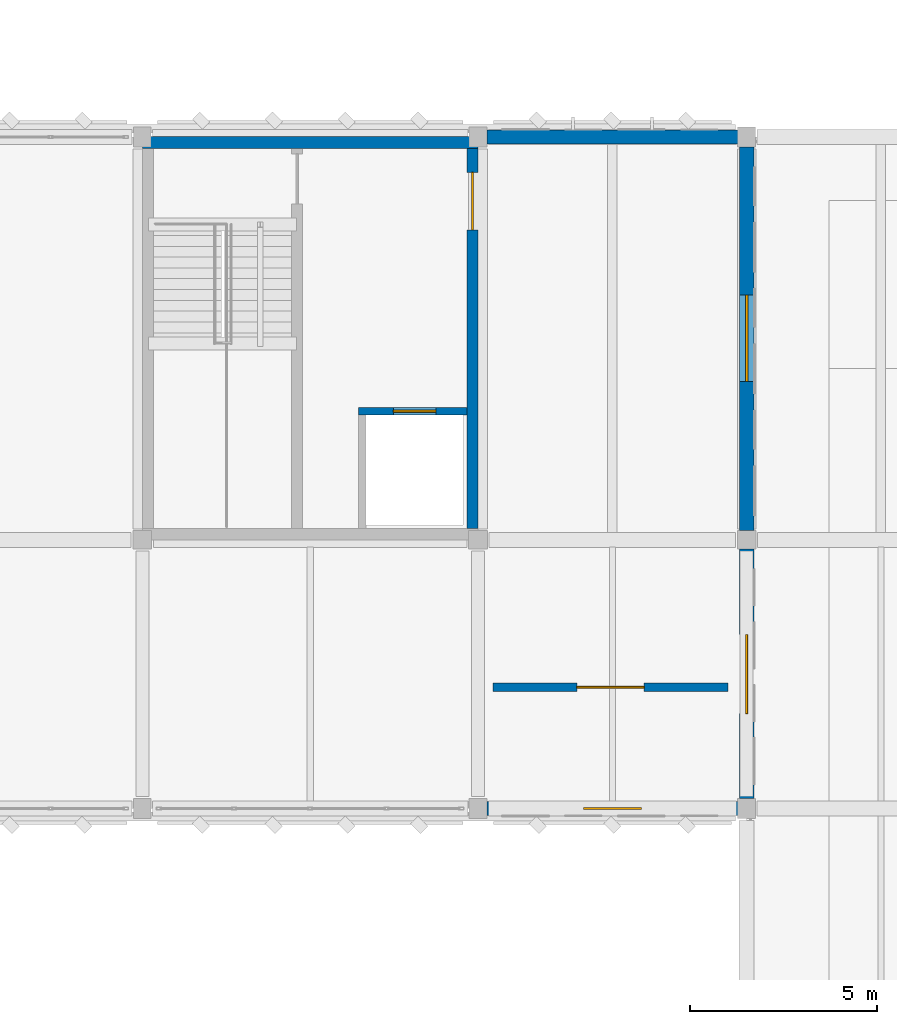
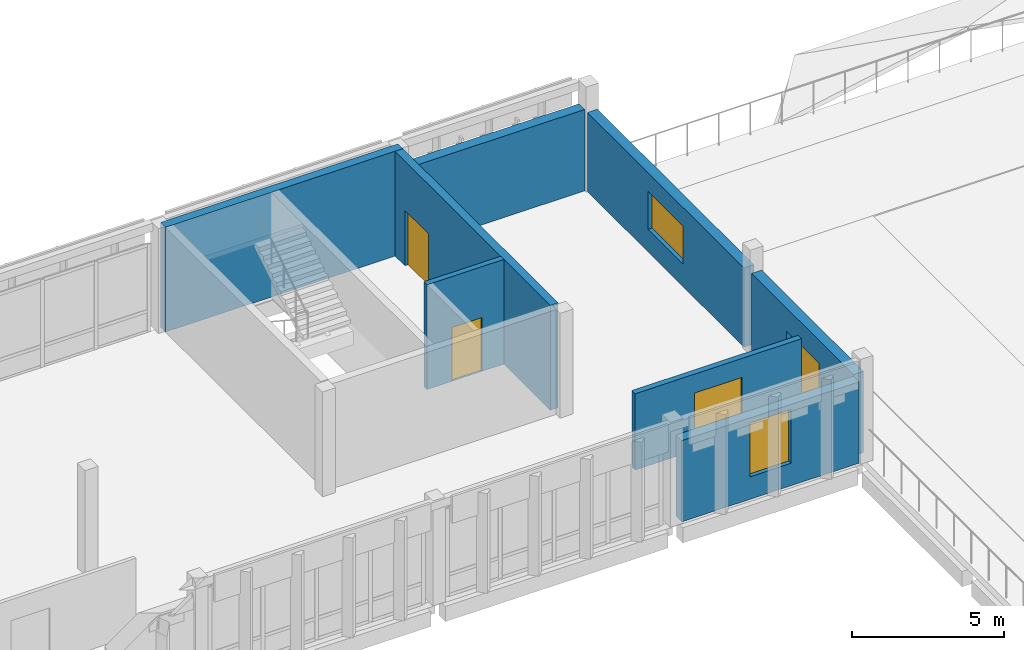
# One storey, part 59 of 72: 8 walls, 4 doors, 2 windows, 6 openings.
"""IFC4 building model written with IfcOpenShell, lengths in metres."""

from ifc_helpers import new_model, si_unit, direction, frame, frame_2d, origin, place, context, subcontext, project, spatial, rectangle, extrude, material, layer, layer_set, type_object, element, fill, save


model = new_model("IFC4")

# Units and contexts
model_context = context("Model", 3, precision=1e-05, world=origin(), true_north=direction((0.0, 1.0)))
body_context = subcontext(model_context, "Body", "Model", "MODEL_VIEW")
ifc_project = project(units=[si_unit("LENGTHUNIT", "METRE"), si_unit("AREAUNIT", "SQUARE_METRE"), si_unit("VOLUMEUNIT", "CUBIC_METRE"), si_unit("PLANEANGLEUNIT", "RADIAN"), si_unit("MASSUNIT", "GRAM", prefix="KILO")], contexts=[model_context])

# Site, building, storey
site_placement = place(None, origin())
site = spatial("IfcSite", under=ifc_project, at=site_placement, CompositionType="ELEMENT")
building_placement = place(site_placement, origin())
building = spatial("IfcBuilding", under=site, at=building_placement, Name="Lusvemor Sports Hall", CompositionType="ELEMENT")
storey_placement = place(building_placement, frame((0.0, 0.0, 15.0)))
storey = spatial("IfcBuildingStorey", under=building, at=storey_placement, Name="L03", CompositionType="ELEMENT", Elevation=15.0)

# Wall
ifc_material_1 = material(Name="Warm terracotta Art Nouveau ceramic cladding on Concrete C40/50 backing", Category="masonry")
ifc_layer_1 = layer(ifc_material_1, 0.3798828125)
ifc_layer_set_1 = layer_set([ifc_layer_1], Name="Warm terracotta Art Nouveau ceramic cladding on Concrete C40/50 backing")
wall_type_1 = type_object("IfcWallType", Name="EW_UPPER_250", PredefinedType="STANDARD", material=ifc_layer_set_1)
wall_1_placement = place(storey_placement, frame((111.8359375, 115.199951171875, 0.0), z_axis=(0.0, 0.0, 1.0), x_axis=(1.0, 0.0, 0.0)))
element("IfcWall", 1, at=wall_1_placement, inside=storey, type_object=wall_type_1, Name="Exterior Wall EW-L03-N-1-11", PredefinedType="STANDARD", context=body_context, shape_type="SweptSolid", body=[
    extrude(rectangle(XDim=6.72802734375, YDim=0.3798828125, at=frame_2d((3.364013671875, 0.0))), origin(), (0.0, 0.0, 1.0), 3.260009765625),
])

# Wall, opening, door
wall_2_placement = place(storey_placement, frame((118.800048828125, 104.154052734375, 0.0), z_axis=(0.0, 0.0, 1.0), x_axis=(0.0, -1.0, 0.0)))
wall_2 = element("IfcWall", 2, at=wall_2_placement, inside=storey, type_object=wall_type_1, Name="Exterior Wall EW-L03-E-2-0", PredefinedType="STANDARD", context=body_context, shape_type="SweptSolid", body=[
    extrude(rectangle(XDim=6.68798828125, YDim=0.3798828125, at=frame_2d((3.343994140625, 0.0))), origin(), (0.0, 0.0, 1.0), 3.260009765625),
])
opening_1_placement = place(wall_2_placement, frame((2.2939453125, 0.0, 0.0)))
opening_1 = element("IfcOpeningElement", 3, at=opening_1_placement, cuts=wall_2, Name="Opening ED08", PredefinedType="OPENING", context=body_context, shape_type="SweptSolid", body=[
    extrude(rectangle(XDim=2.1201171875, YDim=2.340087890625, at=frame_2d((1.06005859375, 1.169921875))), frame((0.0, 0.18994140625, 0.0), z_axis=(0.0, -1.0, 0.0), x_axis=(1.0, 0.0, 0.0)), (0.0, 0.0, 1.0), 0.3798828125),
])
ifc_material_2 = material(Name="Thermally broken bronze-anodized aluminium", Category="aluminium")
door_type_1 = type_object("IfcDoorType", Name="EDR_TRACK_212x234", OperationType="NOTDEFINED", PredefinedType="DOOR", material=ifc_material_2)
door_1_placement = place(opening_1_placement, origin())
door_1 = element("IfcDoor", 4, at=door_1_placement, inside=storey, type_object=door_type_1, Name="DR-033", OperationType="SINGLE_SWING_LEFT", OverallHeight=2.340087890625, OverallWidth=2.1201171875, PredefinedType="DOOR", context=body_context, shape_type="SweptSolid", body=[
    extrude(rectangle(XDim=2.1201171875, YDim=2.340087890625, at=frame_2d((1.06005859375, 1.169921875))), frame((0.0, 0.02490234375, 0.0), z_axis=(0.0, -1.0, 0.0), x_axis=(1.0, 0.0, 0.0)), (0.0, 0.0, 1.0), 0.050048828125),
])
fill(opening_1, door_1)

# Wall, opening, window
wall_3_placement = place(storey_placement, frame((118.800048828125, 114.93408203125, 0.0), z_axis=(0.0, 0.0, 1.0), x_axis=(0.0, -1.0, 0.0)))
wall_3 = element("IfcWall", 5, at=wall_3_placement, inside=storey, type_object=wall_type_1, Name="Exterior Wall EW-L03-E-2-1", PredefinedType="STANDARD", context=body_context, shape_type="SweptSolid", body=[
    extrude(rectangle(XDim=10.2880859375, YDim=0.3798828125, at=frame_2d((5.14404296875, 0.0))), origin(), (0.0, 0.0, 1.0), 3.169921875),
])
opening_2_placement = place(wall_3_placement, frame((3.97412109375, 0.0, 0.89990234375)))
opening_2 = element("IfcOpeningElement", 6, at=opening_2_placement, cuts=wall_3, Name="Opening WN21", PredefinedType="OPENING", context=body_context, shape_type="SweptSolid", body=[
    extrude(rectangle(XDim=2.320068359375, YDim=1.52001953125, at=frame_2d((1.16015625, 0.760009765625))), frame((0.0, 0.18994140625, 0.0), z_axis=(0.0, -1.0, 0.0), x_axis=(1.0, 0.0, 0.0)), (0.0, 0.0, 1.0), 0.3798828125),
])
ifc_material_3 = material(Name="Solar-control laminated double glazing", Category="glass")
window_type_1 = type_object("IfcWindowType", Name="WIN_21", PartitioningType="SINGLE_PANEL", PredefinedType="WINDOW", material=ifc_material_3)
window_1_placement = place(opening_2_placement, origin())
window_1 = element("IfcWindow", 7, at=window_1_placement, inside=storey, type_object=window_type_1, Name="Wing Window L03-E-2-1", OverallHeight=1.52001953125, OverallWidth=2.320068359375, PartitioningType="SINGLE_PANEL", PredefinedType="WINDOW", context=body_context, shape_type="SweptSolid", body=[
    extrude(rectangle(XDim=2.320068359375, YDim=1.52001953125, at=frame_2d((1.16015625, 0.760009765625))), frame((0.0, 0.030029296875, 0.0), z_axis=(0.0, -1.0, 0.0), x_axis=(1.0, 0.0, 0.0)), (0.0, 0.0, 1.0), 0.06005859375),
])
fill(opening_2, window_1)

wall_4_placement = place(storey_placement, frame((118.56396484375, 97.199951171875, 0.0), z_axis=(0.0, 0.0, 1.0), x_axis=(-1.0, 0.0, 0.0)))
wall_4 = element("IfcWall", 8, at=wall_4_placement, inside=storey, type_object=wall_type_1, Name="Exterior Wall EW-L03-S-3-9", PredefinedType="STANDARD", context=body_context, shape_type="SweptSolid", body=[
    extrude(rectangle(XDim=6.72802734375, YDim=0.3798828125, at=frame_2d((3.364013671875, 0.0))), origin(), (0.0, 0.0, 1.0), 3.260009765625),
])
opening_3_placement = place(wall_4_placement, frame((2.583984375, 0.0, 0.89990234375)))
opening_3 = element("IfcOpeningElement", 9, at=opening_3_placement, cuts=wall_4, Name="Opening WN31", PredefinedType="OPENING", context=body_context, shape_type="SweptSolid", body=[
    extrude(rectangle(XDim=1.56005859375, YDim=2.159912109375, at=frame_2d((0.780029296875, 1.080078125))), frame((0.0, 0.18994140625, 0.0), z_axis=(0.0, -1.0, 0.0), x_axis=(1.0, 0.0, 0.0)), (0.0, 0.0, 1.0), 0.3798828125),
])
ifc_material_4 = material(Name="Solar-control laminated double glazing", Category="glass")
window_type_2 = type_object("IfcWindowType", Name="WIN_31", PartitioningType="SINGLE_PANEL", PredefinedType="WINDOW", material=ifc_material_4)
window_2_placement = place(opening_3_placement, origin())
window_2 = element("IfcWindow", 10, at=window_2_placement, inside=storey, type_object=window_type_2, Name="Wing Window L03-S-3-9", OverallHeight=2.159912109375, OverallWidth=1.56005859375, PartitioningType="SINGLE_PANEL", PredefinedType="WINDOW", context=body_context, shape_type="SweptSolid", body=[
    extrude(rectangle(XDim=1.56005859375, YDim=2.159912109375, at=frame_2d((0.780029296875, 1.080078125))), frame((0.0, 0.030029296875, 0.0), z_axis=(0.0, -1.0, 0.0), x_axis=(1.0, 0.0, 0.0)), (0.0, 0.0, 1.0), 0.06005859375),
])
fill(opening_3, window_2)

# Wall, opening, door
ifc_material_5 = material(Name="Plastered ceramic masonry blockwork", Category="masonry")
ifc_layer_2 = layer(ifc_material_5, 0.219970703125)
ifc_layer_set_2 = layer_set([ifc_layer_2], Name="Plastered ceramic masonry blockwork")
wall_type_2 = type_object("IfcWallType", Name="IW_COMP_224", PredefinedType="STANDARD", material=ifc_layer_set_2)
wall_5_placement = place(storey_placement, frame((112.0, 100.449951171875, 0.0), z_axis=(0.0, 0.0, 1.0), x_axis=(1.0, 0.0, 0.0)))
wall_5 = element("IfcWall", 11, at=wall_5_placement, inside=storey, type_object=wall_type_2, Name="Partition IW-L03-CNN-PLT3", PredefinedType="STANDARD", context=body_context, shape_type="SweptSolid", body=[
    extrude(rectangle(XDim=6.300048828125, YDim=0.219970703125, at=frame_2d((3.14990234375, 0.0))), origin(), (0.0, 0.0, 1.0), 3.06005859375),
])
opening_4_placement = place(wall_5_placement, frame((2.25, 0.0, 0.0)))
opening_4 = element("IfcOpeningElement", 12, at=opening_4_placement, cuts=wall_5, Name="Opening DR-FD60-02", PredefinedType="OPENING", context=body_context, shape_type="SweptSolid", body=[
    extrude(rectangle(XDim=1.800048828125, YDim=2.300048828125, at=frame_2d((0.89990234375, 1.14990234375))), frame((0.0, 0.10986328125, 0.0), z_axis=(0.0, -1.0, 0.0), x_axis=(1.0, 0.0, 0.0)), (0.0, 0.0, 1.0), 0.219970703125),
])
ifc_material_6 = material(Name="Fire-rated insulated painted steel door assembly", Category="steel")
door_type_2 = type_object("IfcDoorType", Name="IDR_PLANT_FD60_180", OperationType="NOTDEFINED", PredefinedType="DOOR", material=ifc_material_6)
door_2_placement = place(opening_4_placement, origin())
door_2 = element("IfcDoor", 13, at=door_2_placement, inside=storey, type_object=door_type_2, Name="DR-204", OperationType="SINGLE_SWING_RIGHT", OverallHeight=2.300048828125, OverallWidth=1.800048828125, PredefinedType="DOOR", context=body_context, shape_type="SweptSolid", body=[
    extrude(rectangle(XDim=1.800048828125, YDim=2.300048828125, at=frame_2d((0.89990234375, 1.14990234375))), frame((0.0, 0.02490234375, 0.0), z_axis=(0.0, -1.0, 0.0), x_axis=(1.0, 0.0, 0.0)), (0.0, 0.0, 1.0), 0.050048828125),
])
fill(opening_4, door_2)

ifc_material_7 = material(Name="Concrete C40/50", Category="concrete")
ifc_layer_3 = layer(ifc_material_7, 0.2099609375)
ifc_layer_set_3 = layer_set([ifc_layer_3], Name="Concrete C40/50")
wall_type_3 = type_object("IfcWallType", Name="IW_SHFT_212", PredefinedType="STANDARD", material=ifc_layer_set_3)
wall_6_placement = place(storey_placement, frame((108.389892578125, 107.85009765625, 0.0), z_axis=(0.0, 0.0, 1.0), x_axis=(1.0, 0.0, 0.0)))
wall_6 = element("IfcWall", 14, at=wall_6_placement, inside=storey, type_object=wall_type_3, Name="Lift LF-02 Shaft Front Wall (L03)", PredefinedType="STANDARD", context=body_context, shape_type="SweptSolid", body=[
    extrude(rectangle(XDim=2.91015625, YDim=0.2099609375, at=frame_2d((1.455078125, 0.0))), origin(), (0.0, 0.0, 1.0), 4.199951171875),
])
opening_5_placement = place(wall_6_placement, frame((0.93994140625, 0.0, 0.0)))
opening_5 = element("IfcOpeningElement", 15, at=opening_5_placement, cuts=wall_6, Name="Opening LD-01", PredefinedType="OPENING", context=body_context, shape_type="SweptSolid", body=[
    extrude(rectangle(XDim=1.139892578125, YDim=2.159912109375, at=frame_2d((0.56982421875, 1.080078125))), frame((0.0, 0.10498046875, 0.0), z_axis=(0.0, -1.0, 0.0), x_axis=(1.0, 0.0, 0.0)), (0.0, 0.0, 1.0), 0.2099609375),
])
ifc_material_8 = material(Name="Brushed stainless-steel sliding lift landing door", Category="steel")
door_type_3 = type_object("IfcDoorType", Name="LIFT_DOOR_FF_114", OperationType="NOTDEFINED", PredefinedType="DOOR", material=ifc_material_8)
door_3_placement = place(opening_5_placement, origin())
door_3 = element("IfcDoor", 16, at=door_3_placement, inside=storey, type_object=door_type_3, Name="DR-086", OperationType="SLIDING_TO_LEFT", OverallHeight=2.159912109375, OverallWidth=1.139892578125, PredefinedType="DOOR", context=body_context, shape_type="SweptSolid", body=[
    extrude(rectangle(XDim=1.139892578125, YDim=2.159912109375, at=frame_2d((0.56982421875, 1.080078125))), frame((0.0, 0.02490234375, 0.0), z_axis=(0.0, -1.0, 0.0), x_axis=(1.0, 0.0, 0.0)), (0.0, 0.0, 1.0), 0.050048828125),
])
fill(opening_5, door_3)

ifc_material_9 = material(Name="Concrete C40/50", Category="concrete")
ifc_layer_4 = layer(ifc_material_9, 0.300048828125)
ifc_layer_set_4 = layer_set([ifc_layer_4], Name="Concrete C40/50")
wall_type_4 = type_object("IfcWallType", Name="WALL_CORE_300_INT", PredefinedType="SHEAR", material=ifc_layer_set_4)
wall_7_placement = place(storey_placement, frame((111.449951171875, 114.89990234375, 0.0), z_axis=(0.0, 0.0, 1.0), x_axis=(0.0, -1.0, 0.0)))
wall_7 = element("IfcWall", 17, at=wall_7_placement, inside=storey, type_object=wall_type_4, Name="Core C4 North-Central Shear Wall E (L03)", PredefinedType="SHEAR", context=body_context, shape_type="SweptSolid", body=[
    extrude(rectangle(XDim=10.199951171875, YDim=0.300048828125, at=frame_2d((5.10009765625, 0.0))), origin(), (0.0, 0.0, 1.0), 4.199951171875),
])
opening_6_placement = place(wall_7_placement, frame((0.64990234375, 0.0, 0.0)))
opening_6 = element("IfcOpeningElement", 18, at=opening_6_placement, cuts=wall_7, Name="Opening DR-FD60-01", PredefinedType="OPENING", context=body_context, shape_type="SweptSolid", body=[
    extrude(rectangle(XDim=1.5400390625, YDim=2.219970703125, at=frame_2d((0.77001953125, 1.10986328125))), frame((0.0, 0.14990234375, 0.0), z_axis=(0.0, -1.0, 0.0), x_axis=(1.0, 0.0, 0.0)), (0.0, 0.0, 1.0), 0.300048828125),
])
ifc_material_10 = material(Name="Fire-rated insulated painted steel door assembly", Category="steel")
door_type_4 = type_object("IfcDoorType", Name="IDR_LOBBY_FD60_154", OperationType="NOTDEFINED", PredefinedType="DOOR", material=ifc_material_10)
door_4_placement = place(opening_6_placement, origin())
door_4 = element("IfcDoor", 19, at=door_4_placement, inside=storey, type_object=door_type_4, Name="DR-095", OperationType="SINGLE_SWING_LEFT", OverallHeight=2.219970703125, OverallWidth=1.5400390625, PredefinedType="DOOR", context=body_context, shape_type="SweptSolid", body=[
    extrude(rectangle(XDim=1.5400390625, YDim=2.219970703125, at=frame_2d((0.77001953125, 1.10986328125))), frame((0.0, 0.02490234375, 0.0), z_axis=(0.0, -1.0, 0.0), x_axis=(1.0, 0.0, 0.0)), (0.0, 0.0, 1.0), 0.050048828125),
])
fill(opening_6, door_4)

# Wall
ifc_material_11 = material(Name="Concrete C40/50", Category="concrete")
ifc_layer_5 = layer(ifc_material_11, 0.324951171875)
ifc_layer_set_5 = layer_set([ifc_layer_5], Name="Concrete C40/50")
wall_type_5 = type_object("IfcWallType", Name="WALL_CORE_325_EXT", PredefinedType="SHEAR", material=ifc_layer_set_5)
wall_8_placement = place(storey_placement, frame((102.60009765625, 115.050048828125, 0.0), z_axis=(0.0, 0.0, 1.0), x_axis=(1.0, 0.0, 0.0)))
element("IfcWall", 20, at=wall_8_placement, inside=storey, type_object=wall_type_5, Name="Core C4 North-Central Shear Wall N (L03)", PredefinedType="SHEAR", context=body_context, shape_type="SweptSolid", body=[
    extrude(rectangle(XDim=9.0, YDim=0.324951171875, at=frame_2d((4.5, 0.0))), origin(), (0.0, 0.0, 1.0), 4.199951171875),
])

save(model, "model.ifc")
